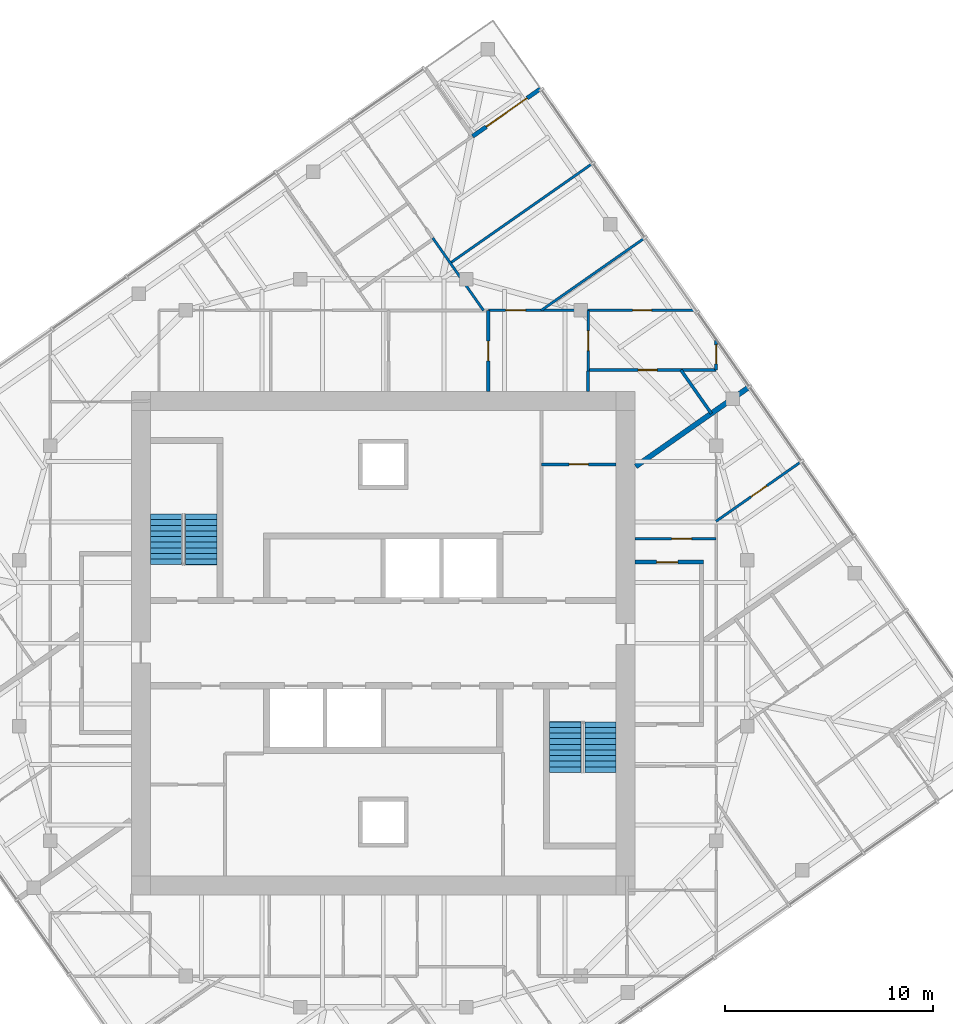
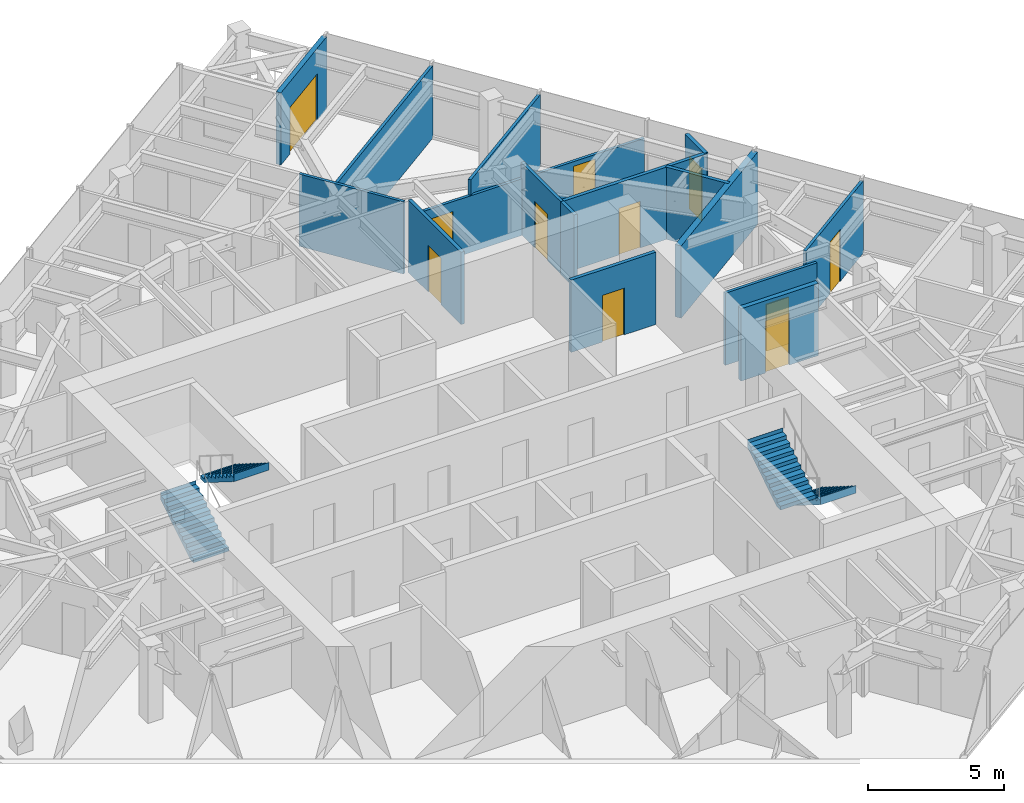
# One storey, part 11 of 12: 16 walls, 11 doors, 4 stair flights, 11 openings, 2 elements without a shape of their own.
"""IFC4 building model written with IfcOpenShell, lengths in metres."""

from ifc_helpers import new_model, si_unit, direction, frame, frame_2d, origin, place, context, subcontext, project, spatial, polyline, rectangle, outline, extrude, material, layer, layer_set, type_object, element, fill, aggregate, save


model = new_model("IFC4")

# Units and contexts
model_context = context("Model", 3, precision=1e-05, world=origin(), true_north=direction((0.0, 1.0)))
body_context = subcontext(model_context, "Body", "Model", "MODEL_VIEW")
ifc_project = project(units=[si_unit("LENGTHUNIT", "METRE"), si_unit("AREAUNIT", "SQUARE_METRE"), si_unit("VOLUMEUNIT", "CUBIC_METRE"), si_unit("PLANEANGLEUNIT", "RADIAN"), si_unit("MASSUNIT", "GRAM", prefix="KILO")], contexts=[model_context])

# Site, building, storey
site_placement = place(None, origin())
site = spatial("IfcSite", under=ifc_project, at=site_placement, CompositionType="ELEMENT")
building_placement = place(site_placement, origin())
building = spatial("IfcBuilding", under=site, at=building_placement, Name="Torsade Residences", CompositionType="ELEMENT")
storey_placement = place(building_placement, frame((0.0, 0.0, 250.60009765625)))
storey = spatial("IfcBuildingStorey", under=building, at=storey_placement, Name="L69", CompositionType="ELEMENT", Elevation=250.60009765625)

# Wall, opening, door
ifc_material_1 = material(Name="Plasterboard on steel stud", Category="steel")
ifc_layer_1 = layer(ifc_material_1, 0.199951171875)
ifc_layer_set_1 = layer_set([ifc_layer_1], Name="Plasterboard on steel stud")
wall_type_1 = type_object("IfcWallType", Name="CORRIDOR WALL 200", PredefinedType="PARTITIONING", material=ifc_layer_set_1)
wall_1_placement = place(storey_placement, frame((52.10009765625, 33.89990234375, 0.0), z_axis=(0.0, 0.0, 1.0), x_axis=(1.0, 0.0, 0.0)))
wall_1 = element("IfcWall", 1, at=wall_1_placement, inside=storey, type_object=wall_type_1, Name="Corridor wall L69", PredefinedType="PARTITIONING", context=body_context, shape_type="SweptSolid", body=[
    extrude(rectangle(XDim=3.2998046875, YDim=0.199951171875, at=frame_2d((1.64990234375, 0.0))), origin(), (0.0, 0.0, 1.0), 3.25),
])
opening_1_placement = place(wall_1_placement, frame((1.0400390625, 0.0, 0.0)))
opening_1 = element("IfcOpeningElement", 2, at=opening_1_placement, cuts=wall_1, Name="Opening D01", PredefinedType="OPENING", context=body_context, shape_type="SweptSolid", body=[
    extrude(rectangle(XDim=1.02001953125, YDim=2.340087890625, at=frame_2d((0.510009765625, 1.169921875))), frame((0.0, 0.10986328125, 0.0), z_axis=(0.0, -1.0, 0.0), x_axis=(1.0, 0.0, 0.0)), (0.0, 0.0, 1.0), 0.219970703125),
])
ifc_material_2 = material(Name="Solid-core timber fire door", Category="wood")
door_type_1 = type_object("IfcDoorType", Name="APARTMENT ENTRY DOOR 1020x2340", OperationType="NOTDEFINED", PredefinedType="DOOR", material=ifc_material_2)
door_1_placement = place(opening_1_placement, origin())
door_1 = element("IfcDoor", 3, at=door_1_placement, inside=storey, type_object=door_type_1, Name="Door Residential corridor to Kitchen and dining", OperationType="SINGLE_SWING_LEFT", OverallHeight=2.340087890625, OverallWidth=1.02001953125, PredefinedType="DOOR", context=body_context, shape_type="SweptSolid", body=[
    extrude(rectangle(XDim=1.02001953125, YDim=2.340087890625, at=frame_2d((0.510009765625, 1.169921875))), frame((0.0, 0.02490234375, 0.0), z_axis=(0.0, -1.0, 0.0), x_axis=(1.0, 0.0, 0.0)), (0.0, 0.0, 1.0), 0.050048828125),
])
fill(opening_1, door_1)

ifc_material_3 = material(Name="Plasterboard on steel stud", Category="steel")
ifc_layer_2 = layer(ifc_material_3, 0.1201171875)
ifc_layer_set_2 = layer_set([ifc_layer_2], Name="Plasterboard on steel stud")
wall_type_2 = type_object("IfcWallType", Name="PARTITION 120", PredefinedType="PARTITIONING", material=ifc_layer_set_2)
wall_2_placement = place(storey_placement, frame((52.10009765625, 35.02197265625, 0.0), z_axis=(0.0, 0.0, 1.0), x_axis=(1.0, 0.0, 0.0)))
wall_2 = element("IfcWall", 4, at=wall_2_placement, inside=storey, type_object=wall_type_2, Name="Partition L69", PredefinedType="PARTITIONING", context=body_context, shape_type="SweptSolid", body=[
    extrude(rectangle(XDim=3.89990234375, YDim=0.1201171875, at=frame_2d((1.949951171875, 0.0))), origin(), (0.0, 0.0, 1.0), 3.25),
])
opening_2_placement = place(wall_2_placement, frame((1.77001953125, 0.0, 0.0)))
opening_2 = element("IfcOpeningElement", 5, at=opening_2_placement, cuts=wall_2, Name="Opening D05", PredefinedType="OPENING", context=body_context, shape_type="SweptSolid", body=[
    extrude(rectangle(XDim=0.9599609375, YDim=2.10009765625, at=frame_2d((0.47998046875, 1.050048828125))), frame((0.0, 0.070068359375, 0.0), z_axis=(0.0, -1.0, 0.0), x_axis=(1.0, 0.0, 0.0)), (0.0, 0.0, 1.0), 0.14013671875),
])
ifc_material_4 = material(Name="Hollow-core timber door in a steel cavity frame", Category="steel")
door_type_2 = type_object("IfcDoorType", Name="BATHROOM CAVITY SLIDING DOOR 960", OperationType="SLIDING_TO_LEFT", PredefinedType="DOOR", material=ifc_material_4)
door_2_placement = place(opening_2_placement, origin())
door_2 = element("IfcDoor", 6, at=door_2_placement, inside=storey, type_object=door_type_2, Name="Door Kitchen and dining to Bathroom", OperationType="SLIDING_TO_LEFT", OverallHeight=2.10009765625, OverallWidth=0.9599609375, PredefinedType="DOOR", context=body_context, shape_type="SweptSolid", body=[
    extrude(rectangle(XDim=0.9599609375, YDim=2.10009765625, at=frame_2d((0.47998046875, 1.050048828125))), frame((0.0, 0.02490234375, 0.0), z_axis=(0.0, -1.0, 0.0), x_axis=(1.0, 0.0, 0.0)), (0.0, 0.0, 1.0), 0.050048828125),
])
fill(opening_2, door_2)

wall_3_placement = place(storey_placement, frame((56.0, 35.8623046875, 0.0), z_axis=(0.0, 0.0, 1.0), x_axis=(0.819144584763, 0.57358708951, 0.0)))
wall_3 = element("IfcWall", 7, at=wall_3_placement, inside=storey, type_object=wall_type_2, Name="Partition L69", PredefinedType="PARTITIONING", context=body_context, shape_type="SweptSolid", body=[
    extrude(rectangle(XDim=4.990966796875, YDim=0.1201171875, at=frame_2d((2.49560546875, 0.0))), origin(), (0.0, 0.0, 1.0), 3.25),
])
opening_3_placement = place(wall_3_placement, frame((2.055419921875, 0.0, 0.0)))
opening_3 = element("IfcOpeningElement", 8, at=opening_3_placement, cuts=wall_3, Name="Opening D02", PredefinedType="OPENING", context=body_context, shape_type="SweptSolid", body=[
    extrude(rectangle(XDim=0.919921875, YDim=2.340087890625, at=frame_2d((0.4599609375, 1.169921875))), frame((0.0, 0.070068359375, 0.0), z_axis=(0.0, -1.0, 0.0), x_axis=(1.0, 0.0, 0.0)), (0.0, 0.0, 1.0), 0.14013671875),
])
ifc_material_5 = material(Name="Hollow-core timber door", Category="wood")
door_type_3 = type_object("IfcDoorType", Name="INTERNAL DOOR 920x2340", OperationType="NOTDEFINED", PredefinedType="DOOR", material=ifc_material_5)
door_3_placement = place(opening_3_placement, origin())
door_3 = element("IfcDoor", 9, at=door_3_placement, inside=storey, type_object=door_type_3, Name="Door Bedroom 1 to Living room", OperationType="SINGLE_SWING_LEFT", OverallHeight=2.340087890625, OverallWidth=0.919921875, PredefinedType="DOOR", context=body_context, shape_type="SweptSolid", body=[
    extrude(rectangle(XDim=0.919921875, YDim=2.340087890625, at=frame_2d((0.4599609375, 1.169921875))), frame((0.0, 0.02490234375, 0.0), z_axis=(0.0, -1.0, 0.0), x_axis=(1.0, 0.0, 0.0)), (0.0, 0.0, 1.0), 0.050048828125),
])
fill(opening_3, door_3)

wall_4_placement = place(storey_placement, frame((49.849853515625, 46.0, 0.0), z_axis=(0.0, 0.0, 1.0), x_axis=(0.0, -1.0, 0.0)))
wall_4 = element("IfcWall", 10, at=wall_4_placement, inside=storey, type_object=wall_type_2, Name="Partition L69", PredefinedType="PARTITIONING", context=body_context, shape_type="SweptSolid", body=[
    extrude(rectangle(XDim=2.913330078125, YDim=0.1201171875, at=frame_2d((1.45654296875, 0.0))), origin(), (0.0, 0.0, 1.0), 3.25),
])
opening_4_placement = place(wall_4_placement, frame((0.976806640625, 0.0, 0.0)))
opening_4 = element("IfcOpeningElement", 11, at=opening_4_placement, cuts=wall_4, Name="Opening D05", PredefinedType="OPENING", context=body_context, shape_type="SweptSolid", body=[
    extrude(rectangle(XDim=0.9599609375, YDim=2.10009765625, at=frame_2d((0.47998046875, 1.050048828125))), frame((0.0, 0.070068359375, 0.0), z_axis=(0.0, -1.0, 0.0), x_axis=(1.0, 0.0, 0.0)), (0.0, 0.0, 1.0), 0.14013671875),
])
door_4_placement = place(opening_4_placement, origin())
door_4 = element("IfcDoor", 12, at=door_4_placement, inside=storey, type_object=door_type_2, Name="Door Laundry to Study", OperationType="SLIDING_TO_LEFT", OverallHeight=2.10009765625, OverallWidth=0.9599609375, PredefinedType="DOOR", context=body_context, shape_type="SweptSolid", body=[
    extrude(rectangle(XDim=0.9599609375, YDim=2.10009765625, at=frame_2d((0.47998046875, 1.050048828125))), frame((0.0, 0.02490234375, 0.0), z_axis=(0.0, -1.0, 0.0), x_axis=(1.0, 0.0, 0.0)), (0.0, 0.0, 1.0), 0.050048828125),
])
fill(opening_4, door_4)

# Wall, openings, doors
wall_5_placement = place(storey_placement, frame((45.05126953125, 46.0, 0.0), z_axis=(0.0, 0.0, 1.0), x_axis=(1.0, 0.0, 0.0)))
wall_5 = element("IfcWall", 13, at=wall_5_placement, inside=storey, type_object=wall_type_2, Name="Partition L69", PredefinedType="PARTITIONING", context=body_context, shape_type="SweptSolid", body=[
    extrude(rectangle(XDim=9.943115234375, YDim=0.1201171875, at=frame_2d((4.9716796875, 0.0))), origin(), (0.0, 0.0, 1.0), 2.5498046875),
])
opening_5_placement = place(wall_5_placement, frame((0.83544921875, 0.0, 0.0)))
opening_5 = element("IfcOpeningElement", 14, at=opening_5_placement, cuts=wall_5, Name="Opening D05", PredefinedType="OPENING", context=body_context, shape_type="SweptSolid", body=[
    extrude(rectangle(XDim=0.9599609375, YDim=2.10009765625, at=frame_2d((0.47998046875, 1.050048828125))), frame((0.0, 0.070068359375, 0.0), z_axis=(0.0, -1.0, 0.0), x_axis=(1.0, 0.0, 0.0)), (0.0, 0.0, 1.0), 0.14013671875),
])
opening_6_placement = place(wall_5_placement, frame((6.935302734375, 0.0, 0.0)))
opening_6 = element("IfcOpeningElement", 15, at=opening_6_placement, cuts=wall_5, Name="Opening D02", PredefinedType="OPENING", context=body_context, shape_type="SweptSolid", body=[
    extrude(rectangle(XDim=0.919921875, YDim=2.340087890625, at=frame_2d((0.4599609375, 1.169921875))), frame((0.0, 0.070068359375, 0.0), z_axis=(0.0, -1.0, 0.0), x_axis=(1.0, 0.0, 0.0)), (0.0, 0.0, 1.0), 0.14013671875),
])
door_5_placement = place(opening_5_placement, origin())
door_5 = element("IfcDoor", 16, at=door_5_placement, inside=storey, type_object=door_type_2, Name="Door Laundry to Bedroom 2", OperationType="SLIDING_TO_LEFT", OverallHeight=2.10009765625, OverallWidth=0.9599609375, PredefinedType="DOOR", context=body_context, shape_type="SweptSolid", body=[
    extrude(rectangle(XDim=0.9599609375, YDim=2.10009765625, at=frame_2d((0.47998046875, 1.050048828125))), frame((0.0, 0.02490234375, 0.0), z_axis=(0.0, -1.0, 0.0), x_axis=(1.0, 0.0, 0.0)), (0.0, 0.0, 1.0), 0.050048828125),
])
fill(opening_5, door_5)
door_6_placement = place(opening_6_placement, origin())
door_6 = element("IfcDoor", 17, at=door_6_placement, inside=storey, type_object=door_type_3, Name="Door Study to Media room 2", OperationType="SINGLE_SWING_LEFT", OverallHeight=2.340087890625, OverallWidth=0.919921875, PredefinedType="DOOR", context=body_context, shape_type="SweptSolid", body=[
    extrude(rectangle(XDim=0.919921875, YDim=2.340087890625, at=frame_2d((0.4599609375, 1.169921875))), frame((0.0, 0.02490234375, 0.0), z_axis=(0.0, -1.0, 0.0), x_axis=(1.0, 0.0, 0.0)), (0.0, 0.0, 1.0), 0.050048828125),
])
fill(opening_6, door_6)

# Walls
wall_6_placement = place(storey_placement, frame((50.05078125, 53.060302734375, 0.0), z_axis=(0.0, 0.0, 1.0), x_axis=(-0.819152099525, -0.573576357466, 0.0)))
element("IfcWall", 18, at=wall_6_placement, inside=storey, type_object=wall_type_2, Name="Partition L69", PredefinedType="PARTITIONING", context=body_context, shape_type="SweptSolid", body=[
    extrude(rectangle(XDim=8.3349609375, YDim=0.1201171875, at=frame_2d((4.16748046875, 0.0))), origin(), (0.0, 0.0, 1.0), 3.25),
])
wall_7_placement = place(storey_placement, frame((44.8193359375, 46.0, 0.0), z_axis=(0.0, 0.0, 1.0), x_axis=(-0.573566368211, 0.819159093985, 0.0)))
element("IfcWall", 19, at=wall_7_placement, inside=storey, type_object=wall_type_2, Name="Partition L69", PredefinedType="PARTITIONING", context=body_context, shape_type="SweptSolid", body=[
    extrude(rectangle(XDim=4.252685546875, YDim=0.1201171875, at=frame_2d((2.12646484375, 0.0))), origin(), (0.0, 0.0, 1.0), 3.25),
])
wall_8_placement = place(storey_placement, frame((52.560302734375, 49.4765625, 0.0), z_axis=(0.0, 0.0, 1.0), x_axis=(-0.81915432861, -0.573573173989, 0.0)))
element("IfcWall", 20, at=wall_8_placement, inside=storey, type_object=wall_type_2, Name="Partition L69", PredefinedType="PARTITIONING", context=body_context, shape_type="SweptSolid", body=[
    extrude(rectangle(XDim=6.061279296875, YDim=0.1201171875, at=frame_2d((3.03076171875, 0.0))), origin(), (0.0, 0.0, 1.0), 3.25),
])
ifc_material_6 = material(Name="Masonry-lined stud party wall", Category="masonry")
ifc_layer_3 = layer(ifc_material_6, 0.25)
ifc_layer_set_3 = layer_set([ifc_layer_3], Name="Masonry-lined stud party wall")
wall_type_3 = type_object("IfcWallType", Name="PARTY WALL 250", PredefinedType="PARTITIONING", material=ifc_layer_set_3)
wall_9_placement = place(storey_placement, frame((57.61181640625, 42.331787109375, 0.0), z_axis=(0.0, 0.0, 1.0), x_axis=(-0.819161528122, -0.573562891796, 0.0)))
element("IfcWall", 21, at=wall_9_placement, inside=storey, type_object=wall_type_3, Name="Party wall L69", PredefinedType="PARTITIONING", context=body_context, shape_type="SweptSolid", body=[
    extrude(rectangle(XDim=6.68115234375, YDim=0.25, at=frame_2d((3.340576171875, 0.0))), origin(), (0.0, 0.0, 1.0), 3.25),
])

# Wall, opening, door
ifc_material_7 = material(Name="Reinforced blockwork", Category="masonry")
ifc_layer_4 = layer(ifc_material_7, 0.14990234375)
ifc_layer_set_4 = layer_set([ifc_layer_4], Name="Reinforced blockwork")
wall_type_4 = type_object("IfcWallType", Name="SERVICE ROOM WALL 150", PredefinedType="SOLIDWALL", material=ifc_layer_set_4)
wall_10_placement = place(storey_placement, frame((47.60009765625, 38.60009765625, 0.0), z_axis=(0.0, 0.0, 1.0), x_axis=(1.0, 0.0, 0.0)))
wall_10 = element("IfcWall", 22, at=wall_10_placement, inside=storey, type_object=wall_type_4, Name="Service room wall L69", PredefinedType="SOLIDWALL", context=body_context, shape_type="SweptSolid", body=[
    extrude(rectangle(XDim=3.599853515625, YDim=0.14990234375, at=frame_2d((1.7998046875, 0.0))), origin(), (0.0, 0.0, 1.0), 3.25),
])
opening_7_placement = place(wall_10_placement, frame((1.340087890625, 0.0, 0.0)))
opening_7 = element("IfcOpeningElement", 23, at=opening_7_placement, cuts=wall_10, Name="Opening D06", PredefinedType="OPENING", context=body_context, shape_type="SweptSolid", body=[
    extrude(rectangle(XDim=0.919921875, YDim=2.10009765625, at=frame_2d((0.4599609375, 1.050048828125))), frame((0.0, 0.0849609375, 0.0), z_axis=(0.0, -1.0, 0.0), x_axis=(1.0, 0.0, 0.0)), (0.0, 0.0, 1.0), 0.169921875),
])
ifc_material_8 = material(Name="Steel-framed fire door", Category="steel")
door_type_4 = type_object("IfcDoorType", Name="FIRE DOOR 920", OperationType="NOTDEFINED", PredefinedType="DOOR", material=ifc_material_8)
door_7_placement = place(opening_7_placement, origin())
door_7 = element("IfcDoor", 24, at=door_7_placement, inside=storey, type_object=door_type_4, Name="Door Refuse room to Linen store", OperationType="SINGLE_SWING_LEFT", OverallHeight=2.10009765625, OverallWidth=0.919921875, PredefinedType="DOOR", context=body_context, shape_type="SweptSolid", body=[
    extrude(rectangle(XDim=0.919921875, YDim=2.10009765625, at=frame_2d((0.4599609375, 1.050048828125))), frame((0.0, 0.02490234375, 0.0), z_axis=(0.0, -1.0, 0.0), x_axis=(1.0, 0.0, 0.0)), (0.0, 0.0, 1.0), 0.050048828125),
])
fill(opening_7, door_7)

wall_11_placement = place(storey_placement, frame((45.05126953125, 42.10009765625, 0.0), z_axis=(0.0, 0.0, 1.0), x_axis=(0.0, 1.0, 0.0)))
wall_11 = element("IfcWall", 25, at=wall_11_placement, inside=storey, type_object=wall_type_4, Name="Service room wall L69", PredefinedType="SOLIDWALL", context=body_context, shape_type="SweptSolid", body=[
    extrude(rectangle(XDim=3.89990234375, YDim=0.14990234375, at=frame_2d((1.949951171875, 0.0))), origin(), (0.0, 0.0, 1.0), 3.25),
])
opening_8_placement = place(wall_11_placement, frame((1.469970703125, 0.0, 0.0)))
opening_8 = element("IfcOpeningElement", 26, at=opening_8_placement, cuts=wall_11, Name="Opening D05", PredefinedType="OPENING", context=body_context, shape_type="SweptSolid", body=[
    extrude(rectangle(XDim=0.9599609375, YDim=2.10009765625, at=frame_2d((0.47998046875, 1.050048828125))), frame((0.0, 0.0849609375, 0.0), z_axis=(0.0, -1.0, 0.0), x_axis=(1.0, 0.0, 0.0)), (0.0, 0.0, 1.0), 0.169921875),
])
door_8_placement = place(opening_8_placement, origin())
door_8 = element("IfcDoor", 27, at=door_8_placement, inside=storey, type_object=door_type_2, Name="Door Linen store to Laundry", OperationType="SLIDING_TO_LEFT", OverallHeight=2.10009765625, OverallWidth=0.9599609375, PredefinedType="DOOR", context=body_context, shape_type="SweptSolid", body=[
    extrude(rectangle(XDim=0.9599609375, YDim=2.10009765625, at=frame_2d((0.47998046875, 1.050048828125))), frame((0.0, 0.02490234375, 0.0), z_axis=(0.0, -1.0, 0.0), x_axis=(1.0, 0.0, 0.0)), (0.0, 0.0, 1.0), 0.050048828125),
])
fill(opening_8, door_8)

# Wall
wall_12_placement = place(storey_placement, frame((49.849853515625, 43.086669921875, 0.0), z_axis=(0.0, 0.0, 1.0), x_axis=(0.0, -1.0, 0.0)))
element("IfcWall", 28, at=wall_12_placement, inside=storey, type_object=wall_type_4, Name="Service room wall L69", PredefinedType="SOLIDWALL", context=body_context, shape_type="SweptSolid", body=[
    extrude(rectangle(XDim=0.986572265625, YDim=0.14990234375, at=frame_2d((0.4931640625, 0.0))), origin(), (0.0, 0.0, 1.0), 3.25),
])

# Wall, opening, door
wall_13_placement = place(storey_placement, frame((56.0, 43.13671875, 0.0), z_axis=(0.0, 0.0, 1.0), x_axis=(-1.0, 0.0, 0.0)))
wall_13 = element("IfcWall", 29, at=wall_13_placement, inside=storey, type_object=wall_type_4, Name="Service room wall L69", PredefinedType="SOLIDWALL", context=body_context, shape_type="SweptSolid", body=[
    extrude(rectangle(XDim=6.150146484375, YDim=0.14990234375, at=frame_2d((3.0751953125, 0.0))), origin(), (0.0, 0.0, 1.0), 3.25),
])
opening_9_placement = place(wall_13_placement, frame((2.829345703125, 0.0, 0.0)))
opening_9 = element("IfcOpeningElement", 30, at=opening_9_placement, cuts=wall_13, Name="Opening D02L", PredefinedType="OPENING", context=body_context, shape_type="SweptSolid", body=[
    extrude(rectangle(XDim=0.919921875, YDim=2.10009765625, at=frame_2d((0.4599609375, 1.050048828125))), frame((0.0, 0.0849609375, 0.0), z_axis=(0.0, -1.0, 0.0), x_axis=(1.0, 0.0, 0.0)), (0.0, 0.0, 1.0), 0.169921875),
])
ifc_material_9 = material(Name="Hollow-core timber door", Category="wood")
door_type_5 = type_object("IfcDoorType", Name="INTERNAL DOOR 920x2100", OperationType="NOTDEFINED", PredefinedType="DOOR", material=ifc_material_9)
door_9_placement = place(opening_9_placement, origin())
door_9 = element("IfcDoor", 31, at=door_9_placement, inside=storey, type_object=door_type_5, Name="Door Study to Linen store 2", OperationType="SINGLE_SWING_LEFT", OverallHeight=2.10009765625, OverallWidth=0.919921875, PredefinedType="DOOR", context=body_context, shape_type="SweptSolid", body=[
    extrude(rectangle(XDim=0.919921875, YDim=2.10009765625, at=frame_2d((0.4599609375, 1.050048828125))), frame((0.0, 0.02490234375, 0.0), z_axis=(0.0, -1.0, 0.0), x_axis=(1.0, 0.0, 0.0)), (0.0, 0.0, 1.0), 0.050048828125),
])
fill(opening_9, door_9)

wall_14_placement = place(storey_placement, frame((56.0, 44.56396484375, 0.0), z_axis=(0.0, 0.0, 1.0), x_axis=(0.0, -1.0, 0.0)))
wall_14 = element("IfcWall", 32, at=wall_14_placement, inside=storey, type_object=wall_type_4, Name="Service room wall L69", PredefinedType="SOLIDWALL", context=body_context, shape_type="SweptSolid", body=[
    extrude(rectangle(XDim=1.42724609375, YDim=0.14990234375, at=frame_2d((0.713623046875, 0.0))), origin(), (0.0, 0.0, 1.0), 3.25),
])
opening_10_placement = place(wall_14_placement, frame((0.21875, 0.0, 0.0)))
opening_10 = element("IfcOpeningElement", 33, at=opening_10_placement, cuts=wall_14, Name="Opening D02", PredefinedType="OPENING", context=body_context, shape_type="SweptSolid", body=[
    extrude(rectangle(XDim=0.919921875, YDim=2.340087890625, at=frame_2d((0.4599609375, 1.169921875))), frame((0.0, 0.0849609375, 0.0), z_axis=(0.0, -1.0, 0.0), x_axis=(1.0, 0.0, 0.0)), (0.0, 0.0, 1.0), 0.169921875),
])
door_10_placement = place(opening_10_placement, origin())
door_10 = element("IfcDoor", 34, at=door_10_placement, inside=storey, type_object=door_type_3, Name="Door Study to Linen store 3", OperationType="SINGLE_SWING_RIGHT", OverallHeight=2.340087890625, OverallWidth=0.919921875, PredefinedType="DOOR", context=body_context, shape_type="SweptSolid", body=[
    extrude(rectangle(XDim=0.919921875, YDim=2.340087890625, at=frame_2d((0.4599609375, 1.169921875))), frame((0.0, 0.02490234375, 0.0), z_axis=(0.0, -1.0, 0.0), x_axis=(1.0, 0.0, 0.0)), (0.0, 0.0, 1.0), 0.050048828125),
])
fill(opening_10, door_10)

# Wall
wall_15_placement = place(storey_placement, frame((54.310302734375, 43.13671875, 0.0), z_axis=(0.0, 0.0, 1.0), x_axis=(0.573513690046, -0.819195976144, 0.0)))
element("IfcWall", 35, at=wall_15_placement, inside=storey, type_object=wall_type_4, Name="Service room wall L69", PredefinedType="SOLIDWALL", context=body_context, shape_type="SweptSolid", body=[
    extrude(rectangle(XDim=2.552978515625, YDim=0.14990234375, at=frame_2d((1.2763671875, 0.0))), origin(), (0.0, 0.0, 1.0), 3.25),
])

# Wall, opening, door
ifc_material_10 = material(Name="Stone-faced precast concrete 40 MPa panel", Category="masonry")
ifc_layer_5 = layer(ifc_material_10, 0.199951171875)
ifc_layer_set_5 = layer_set([ifc_layer_5], Name="Stone-faced precast concrete 40 MPa panel")
wall_type_5 = type_object("IfcWallType", Name="TERRACE WALL 200", PredefinedType="SOLIDWALL", material=ifc_layer_set_5)
wall_16_placement = place(storey_placement, frame((47.57421875, 56.6669921875, 0.0), z_axis=(0.0, 0.0, 1.0), x_axis=(-0.819165963305, -0.573556557423, 0.0)))
wall_16 = element("IfcWall", 36, at=wall_16_placement, inside=storey, type_object=wall_type_5, Name="Terrace wall L69 5", PredefinedType="SOLIDWALL", context=body_context, shape_type="SweptSolid", body=[
    extrude(rectangle(XDim=4.0, YDim=0.199951171875, at=frame_2d((2.0, 0.0))), origin(), (0.0, 0.0, 1.0), 3.25),
])
opening_11_placement = place(wall_16_placement, frame((0.800048828125, 0.0, 0.0)))
opening_11 = element("IfcOpeningElement", 37, at=opening_11_placement, cuts=wall_16, Name="Opening D10A", PredefinedType="OPENING", context=body_context, shape_type="SweptSolid", body=[
    extrude(rectangle(XDim=2.39990234375, YDim=2.10009765625, at=frame_2d((1.199951171875, 1.050048828125))), frame((0.0, 0.10986328125, 0.0), z_axis=(0.0, -1.0, 0.0), x_axis=(1.0, 0.0, 0.0)), (0.0, 0.0, 1.0), 0.219970703125),
])
ifc_material_11 = material(Name="Aluminium-framed glass door", Category="aluminium")
door_type_6 = type_object("IfcDoorType", Name="TERRACE SLIDING DOOR 2400x2100", OperationType="SLIDING_TO_LEFT", PredefinedType="DOOR", material=ifc_material_11)
door_11_placement = place(opening_11_placement, origin())
door_11 = element("IfcDoor", 38, at=door_11_placement, inside=storey, type_object=door_type_6, Name="Terrace door L69 5", OperationType="SLIDING_TO_LEFT", OverallHeight=2.10009765625, OverallWidth=2.39990234375, PredefinedType="DOOR", context=body_context, shape_type="SweptSolid", body=[
    extrude(rectangle(XDim=2.39990234375, YDim=2.10009765625, at=frame_2d((1.199951171875, 1.050048828125))), frame((0.0, 0.02490234375, 0.0), z_axis=(0.0, -1.0, 0.0), x_axis=(1.0, 0.0, 0.0)), (0.0, 0.0, 1.0), 0.050048828125),
])
fill(opening_11, door_11)

# Stair, stair flights
ifc_material_12 = material(Name="Precast concrete 40 MPa", Category="concrete")
stair_type = type_object("IfcStairType", Name="HALF-TURN FIRE STAIR 1500x3400", PredefinedType="HALF_TURN_STAIR", material=ifc_material_12)
stair_1_placement = place(storey_placement, origin())
stair_1 = element("IfcStair", 39, at=stair_1_placement, inside=storey, type_object=stair_type, Name="Stair ST1 L69", PredefinedType="HALF_TURN_STAIR")
ifc_material_13 = material(Name="Precast concrete 40 MPa", Category="concrete")
stair_flight_type = type_object("IfcStairFlightType", Name="PRECAST STAIR FLIGHT 1500x1700", PredefinedType="STRAIGHT", material=ifc_material_13)
stair_flight_1_placement = place(storey_placement, frame((29.550048828125, 33.780029296875, 0.0), z_axis=(0.0, 0.0, 1.0), x_axis=(0.0, 1.0, 0.0)))
stair_flight_1 = element("IfcStairFlight", 40, at=stair_flight_1_placement, type_object=stair_flight_type, Name="ST1 flight 1", NumberOfRisers=10, NumberOfTreads=9, PredefinedType="STRAIGHT", RiserHeight=0.17, TreadLength=0.27, context=body_context, shape_type="SweptSolid", body=[
    extrude(outline(polyline([(0.0, 0.0), (0.0, 0.169921875), (0.27001953125, 0.169921875), (0.27001953125, 0.340087890625), (0.5400390625, 0.340087890625), (0.5400390625, 0.510009765625), (0.81005859375, 0.510009765625), (0.81005859375, 0.679931640625), (1.080078125, 0.679931640625), (1.080078125, 0.85009765625), (1.35009765625, 0.85009765625), (1.35009765625, 1.02001953125), (1.6201171875, 1.02001953125), (1.6201171875, 1.18994140625), (1.889892578125, 1.18994140625), (1.889892578125, 1.360107421875), (2.159912109375, 1.360107421875), (2.159912109375, 1.530029296875), (2.429931640625, 1.530029296875), (2.429931640625, 1.699951171875), (2.43994140625, 1.699951171875), (2.43994140625, 1.352783203125), (2.429931640625, 1.352783203125), (0.28125, 0.0), (0.0, 0.0)])), frame((0.0, 0.75, 0.0), z_axis=(0.0, -1.0, 0.0), x_axis=(1.0, 0.0, 0.0)), (0.0, 0.0, 1.0), 1.5),
])
stair_flight_2_placement = place(storey_placement, frame((31.25, 36.2099609375, 1.699951171875), z_axis=(0.0, 0.0, 1.0), x_axis=(0.0, -1.0, 0.0)))
stair_flight_2 = element("IfcStairFlight", 41, at=stair_flight_2_placement, type_object=stair_flight_type, Name="ST1 flight 2", NumberOfRisers=10, NumberOfTreads=9, PredefinedType="STRAIGHT", RiserHeight=0.17, TreadLength=0.27, context=body_context, shape_type="SweptSolid", body=[
    extrude(outline(polyline([(0.0, 0.0), (0.0, 0.169921875), (0.27001953125, 0.169921875), (0.27001953125, 0.340087890625), (0.5400390625, 0.340087890625), (0.5400390625, 0.510009765625), (0.81005859375, 0.510009765625), (0.81005859375, 0.679931640625), (1.080078125, 0.679931640625), (1.080078125, 0.85009765625), (1.35009765625, 0.85009765625), (1.35009765625, 1.02001953125), (1.6201171875, 1.02001953125), (1.6201171875, 1.18994140625), (1.889892578125, 1.18994140625), (1.889892578125, 1.360107421875), (2.159912109375, 1.360107421875), (2.159912109375, 1.530029296875), (2.429931640625, 1.530029296875), (2.429931640625, 1.699951171875), (2.43994140625, 1.699951171875), (2.43994140625, 1.352783203125), (2.429931640625, 1.352783203125), (0.28125, 0.0), (0.0, 0.0)])), frame((0.0, 0.75, 0.0), z_axis=(0.0, -1.0, 0.0), x_axis=(1.0, 0.0, 0.0)), (0.0, 0.0, 1.0), 1.5),
])
aggregate(stair_1, [stair_flight_1, stair_flight_2])

stair_2_placement = place(storey_placement, origin())
stair_2 = element("IfcStair", 42, at=stair_2_placement, inside=storey, type_object=stair_type, Name="Stair ST2 L69", PredefinedType="HALF_TURN_STAIR")
stair_flight_3_placement = place(storey_placement, frame((50.449951171875, 26.219970703125, 0.0), z_axis=(0.0, 0.0, 1.0), x_axis=(0.0, -1.0, 0.0)))
stair_flight_3 = element("IfcStairFlight", 43, at=stair_flight_3_placement, type_object=stair_flight_type, Name="ST2 flight 1", NumberOfRisers=10, NumberOfTreads=9, PredefinedType="STRAIGHT", RiserHeight=0.17, TreadLength=0.27, context=body_context, shape_type="SweptSolid", body=[
    extrude(outline(polyline([(0.0, 0.0), (0.0, 0.169921875), (0.27001953125, 0.169921875), (0.27001953125, 0.340087890625), (0.5400390625, 0.340087890625), (0.5400390625, 0.510009765625), (0.81005859375, 0.510009765625), (0.81005859375, 0.679931640625), (1.080078125, 0.679931640625), (1.080078125, 0.85009765625), (1.35009765625, 0.85009765625), (1.35009765625, 1.02001953125), (1.6201171875, 1.02001953125), (1.6201171875, 1.18994140625), (1.889892578125, 1.18994140625), (1.889892578125, 1.360107421875), (2.159912109375, 1.360107421875), (2.159912109375, 1.530029296875), (2.429931640625, 1.530029296875), (2.429931640625, 1.699951171875), (2.43994140625, 1.699951171875), (2.43994140625, 1.352783203125), (2.429931640625, 1.352783203125), (0.28125, 0.0), (0.0, 0.0)])), frame((0.0, 0.75, 0.0), z_axis=(0.0, -1.0, 0.0), x_axis=(1.0, 0.0, 0.0)), (0.0, 0.0, 1.0), 1.5),
])
stair_flight_4_placement = place(storey_placement, frame((48.75, 23.7900390625, 1.699951171875), z_axis=(0.0, 0.0, 1.0), x_axis=(0.0, 1.0, 0.0)))
stair_flight_4 = element("IfcStairFlight", 44, at=stair_flight_4_placement, type_object=stair_flight_type, Name="ST2 flight 2", NumberOfRisers=10, NumberOfTreads=9, PredefinedType="STRAIGHT", RiserHeight=0.17, TreadLength=0.27, context=body_context, shape_type="SweptSolid", body=[
    extrude(outline(polyline([(0.0, 0.0), (0.0, 0.169921875), (0.27001953125, 0.169921875), (0.27001953125, 0.340087890625), (0.5400390625, 0.340087890625), (0.5400390625, 0.510009765625), (0.81005859375, 0.510009765625), (0.81005859375, 0.679931640625), (1.080078125, 0.679931640625), (1.080078125, 0.85009765625), (1.35009765625, 0.85009765625), (1.35009765625, 1.02001953125), (1.6201171875, 1.02001953125), (1.6201171875, 1.18994140625), (1.889892578125, 1.18994140625), (1.889892578125, 1.360107421875), (2.159912109375, 1.360107421875), (2.159912109375, 1.530029296875), (2.429931640625, 1.530029296875), (2.429931640625, 1.699951171875), (2.43994140625, 1.699951171875), (2.43994140625, 1.352783203125), (2.429931640625, 1.352783203125), (0.28125, 0.0), (0.0, 0.0)])), frame((0.0, 0.75, 0.0), z_axis=(0.0, -1.0, 0.0), x_axis=(1.0, 0.0, 0.0)), (0.0, 0.0, 1.0), 1.5),
])
aggregate(stair_2, [stair_flight_3, stair_flight_4])

save(model, "model.ifc")
